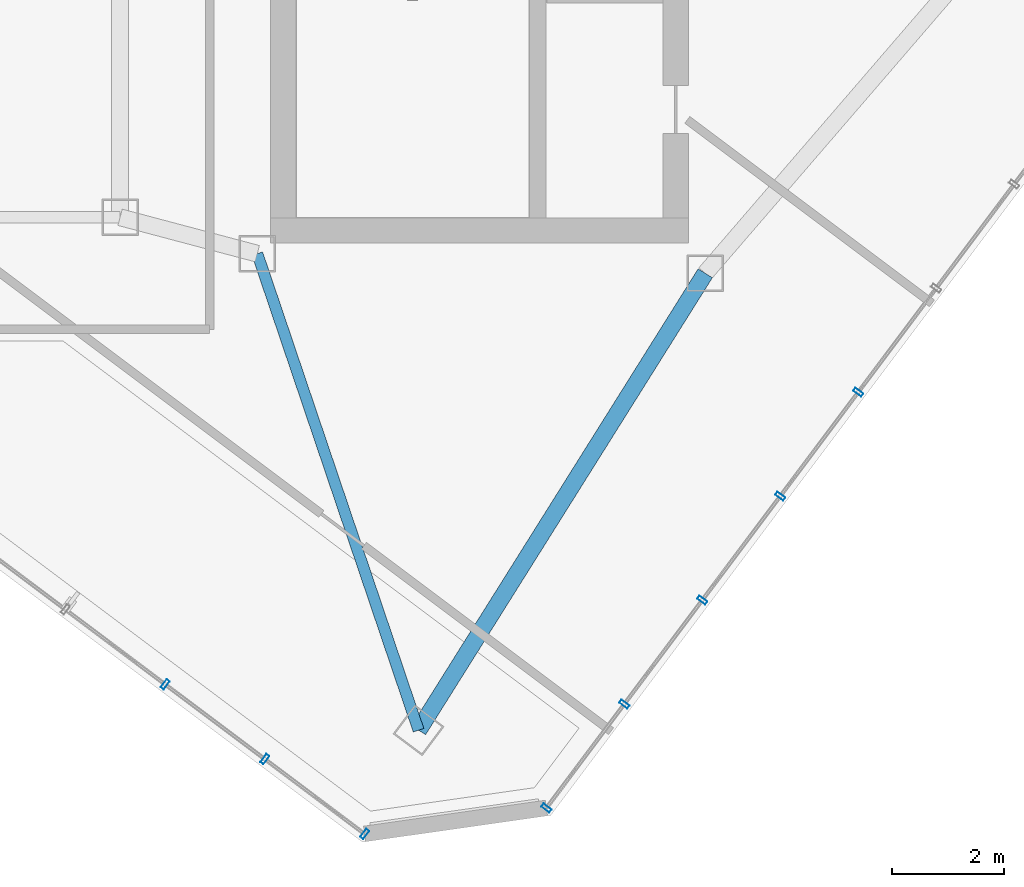
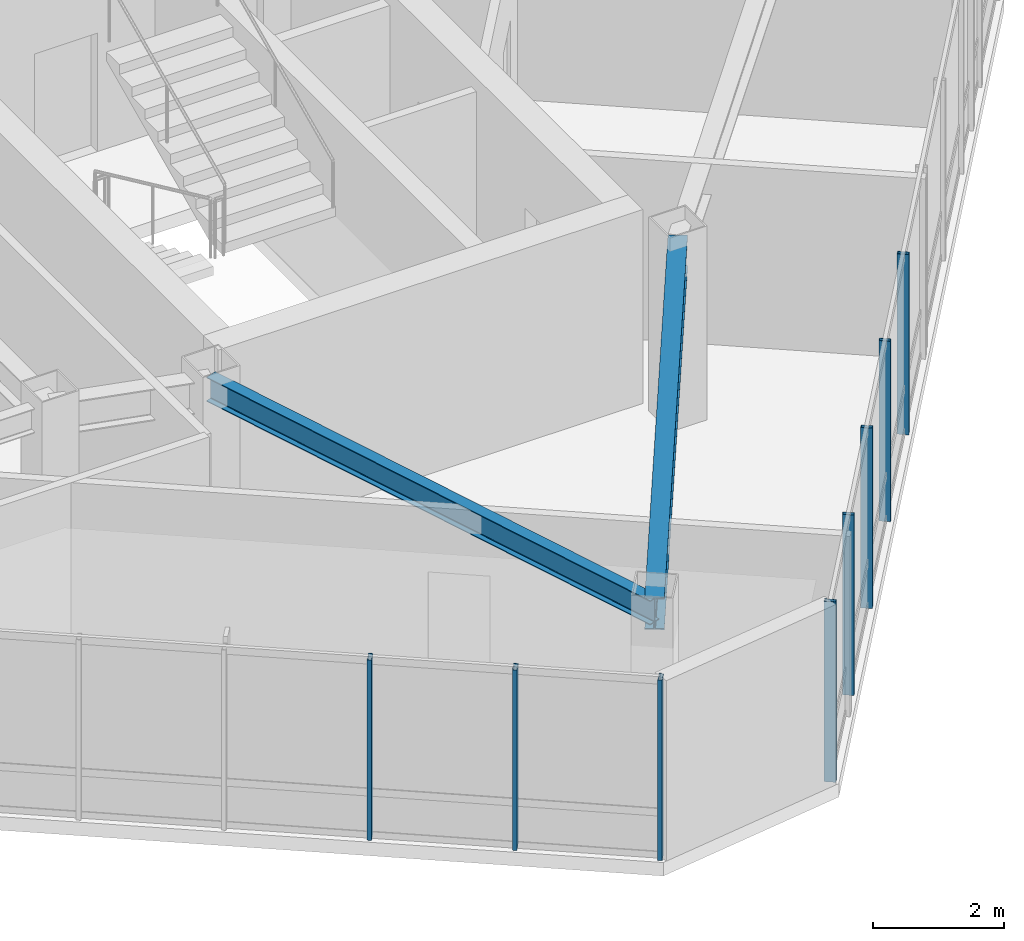
# One storey, part 5 of 22: 8 members, 2 beams, 2 elements without a shape of their own.
"""IFC4 building model written with IfcOpenShell, lengths in metres."""

from ifc_helpers import new_model, si_unit, direction, frame, origin, origin_2d, place, context, subcontext, project, spatial, hollow_rectangle, i_section, extrude, material, layer, layer_set, material_profile, profile_set, type_object, element, aggregate, save


model = new_model("IFC4")

# Units and contexts
model_context = context("Model", 3, precision=1e-05, world=origin(), true_north=direction((0.0, 1.0)))
body_context = subcontext(model_context, "Body", "Model", "MODEL_VIEW")
ifc_project = project(units=[si_unit("LENGTHUNIT", "METRE"), si_unit("AREAUNIT", "SQUARE_METRE"), si_unit("VOLUMEUNIT", "CUBIC_METRE"), si_unit("PLANEANGLEUNIT", "RADIAN"), si_unit("MASSUNIT", "GRAM", prefix="KILO")], contexts=[model_context])

# Site, building, storey
site_placement = place(None, origin())
site = spatial("IfcSite", under=ifc_project, at=site_placement, CompositionType="ELEMENT")
building_placement = place(site_placement, origin())
building = spatial("IfcBuilding", under=site, at=building_placement, Name="Hatsunagi Terrace Concourse", CompositionType="ELEMENT")
storey_placement = place(building_placement, frame((0.0, 0.0, 243.14990234375)))
storey = spatial("IfcBuildingStorey", under=building, at=storey_placement, Name="L64", CompositionType="ELEMENT", Elevation=243.14990234375)

# Curtain wall, members
ifc_material_1 = material(Name="Anodised Aluminium Alloy 6063-T5", Category="aluminium")
ifc_layer = layer(ifc_material_1, 0.199951171875)
ifc_layer_set = layer_set([ifc_layer], Name="OfficeZone2_CW04")
curtain_wall_type = type_object("IfcCurtainWallType", Name="OfficeZone2_CW04", PredefinedType="NOTDEFINED", material=ifc_layer_set)
curtain_wall_1_placement = place(storey_placement, origin())
curtain_wall_1 = element("IfcCurtainWall", 1, at=curtain_wall_1_placement, inside=storey, type_object=curtain_wall_type, Name="Unitised Curtain Wall CW-04 CW-L64-03", PredefinedType="NOTDEFINED")
ifc_material_2 = material(Name="Anodised Aluminium Alloy 6063-T5", Category="aluminium")
ifc_material_profile_1 = material_profile(ifc_material_2, hollow_rectangle(XDim=0.070068359375, YDim=0.179931640625, WallThickness=0.00390625, at=origin_2d()), Name="ALU-MUL-180x70x4")
ifc_profile_set_1 = profile_set([ifc_material_profile_1], Name="Anodised Aluminium Alloy 6063-T5")
member_type = type_object("IfcMemberType", Name="CurtainWallMullion_180x70", PredefinedType="MULLION", material=ifc_profile_set_1)
member_1_placement = place(storey_placement, frame((46.531982421875, 22.075927734375, 0.0), z_axis=(0.0, 0.0, 1.0), x_axis=(-0.599969314634, -0.800023013105, 0.0)))
member_1 = element("IfcMember", 2, at=member_1_placement, type_object=member_type, Name="Curtain Wall Mullion MUL-02", PredefinedType="MULLION", context=body_context, shape_type="SweptSolid", body=[
    extrude(hollow_rectangle(XDim=0.070068359375, YDim=0.179931640625, WallThickness=0.00390625, at=origin_2d()), origin(), (0.0, 0.0, 1.0), 3.35009765625),
])
member_2_placement = place(storey_placement, frame((45.139892578125, 20.218994140625, 0.0), z_axis=(0.0, 0.0, 1.0), x_axis=(-0.599969314634, -0.800023013105, 0.0)))
member_2 = element("IfcMember", 3, at=member_2_placement, type_object=member_type, Name="Curtain Wall Mullion MUL-02", PredefinedType="MULLION", context=body_context, shape_type="SweptSolid", body=[
    extrude(hollow_rectangle(XDim=0.070068359375, YDim=0.179931640625, WallThickness=0.00390625, at=origin_2d()), origin(), (0.0, 0.0, 1.0), 3.35009765625),
])
member_3_placement = place(storey_placement, frame((43.7470703125, 18.363037109375, 0.0), z_axis=(0.0, 0.0, 1.0), x_axis=(-0.599969314634, -0.800023013105, 0.0)))
member_3 = element("IfcMember", 4, at=member_3_placement, type_object=member_type, Name="Curtain Wall Mullion MUL-02", PredefinedType="MULLION", context=body_context, shape_type="SweptSolid", body=[
    extrude(hollow_rectangle(XDim=0.070068359375, YDim=0.179931640625, WallThickness=0.00390625, at=origin_2d()), origin(), (0.0, 0.0, 1.0), 3.35009765625),
])
member_4_placement = place(storey_placement, frame((42.35498046875, 16.506103515625, 0.0), z_axis=(0.0, 0.0, 1.0), x_axis=(-0.599969314634, -0.800023013105, 0.0)))
member_4 = element("IfcMember", 5, at=member_4_placement, type_object=member_type, Name="Curtain Wall Mullion MUL-02", PredefinedType="MULLION", context=body_context, shape_type="SweptSolid", body=[
    extrude(hollow_rectangle(XDim=0.070068359375, YDim=0.179931640625, WallThickness=0.00390625, at=origin_2d()), origin(), (0.0, 0.0, 1.0), 3.35009765625),
])
member_5_placement = place(storey_placement, frame((40.962890625, 14.64990234375, 0.0), z_axis=(0.0, 0.0, 1.0), x_axis=(-0.599969314634, -0.800023013105, 0.0)))
member_5 = element("IfcMember", 6, at=member_5_placement, type_object=member_type, Name="Curtain Wall Mullion MUL-02", PredefinedType="MULLION", context=body_context, shape_type="SweptSolid", body=[
    extrude(hollow_rectangle(XDim=0.070068359375, YDim=0.179931640625, WallThickness=0.00390625, at=origin_2d()), origin(), (0.0, 0.0, 1.0), 3.35009765625),
])
aggregate(curtain_wall_1, [member_1, member_2, member_3, member_4, member_5])

curtain_wall_2_placement = place(storey_placement, origin())
curtain_wall_2 = element("IfcCurtainWall", 7, at=curtain_wall_2_placement, inside=storey, type_object=curtain_wall_type, Name="Unitised Curtain Wall CW-04 CW-L64-05", PredefinedType="NOTDEFINED")
member_6_placement = place(storey_placement, frame((37.718017578125, 14.18701171875, 0.0), z_axis=(0.0, 0.0, 1.0), x_axis=(-0.800007305671, 0.599990258982, 0.0)))
member_6 = element("IfcMember", 8, at=member_6_placement, type_object=member_type, Name="Curtain Wall Mullion MUL-02", PredefinedType="MULLION", context=body_context, shape_type="SweptSolid", body=[
    extrude(hollow_rectangle(XDim=0.070068359375, YDim=0.179931640625, WallThickness=0.00390625, at=origin_2d()), origin(), (0.0, 0.0, 1.0), 3.35009765625),
])
member_7_placement = place(storey_placement, frame((35.93603515625, 15.52294921875, 0.0), z_axis=(0.0, 0.0, 1.0), x_axis=(-0.800007305671, 0.599990258982, 0.0)))
member_7 = element("IfcMember", 9, at=member_7_placement, type_object=member_type, Name="Curtain Wall Mullion MUL-02", PredefinedType="MULLION", context=body_context, shape_type="SweptSolid", body=[
    extrude(hollow_rectangle(XDim=0.070068359375, YDim=0.179931640625, WallThickness=0.00390625, at=origin_2d()), origin(), (0.0, 0.0, 1.0), 3.35009765625),
])
member_8_placement = place(storey_placement, frame((34.155029296875, 16.85888671875, 0.0), z_axis=(0.0, 0.0, 1.0), x_axis=(-0.800007305671, 0.599990258982, 0.0)))
member_8 = element("IfcMember", 10, at=member_8_placement, type_object=member_type, Name="Curtain Wall Mullion MUL-02", PredefinedType="MULLION", context=body_context, shape_type="SweptSolid", body=[
    extrude(hollow_rectangle(XDim=0.070068359375, YDim=0.179931640625, WallThickness=0.00390625, at=origin_2d()), origin(), (0.0, 0.0, 1.0), 3.35009765625),
])
aggregate(curtain_wall_2, [member_6, member_7, member_8])

# Beams
ifc_material_3 = material(Name="Steel SN490B", Category="steel")
ifc_material_profile_2 = material_profile(ifc_material_3, i_section(OverallWidth=0.300048828125, OverallDepth=0.587890625, WebThickness=0.011962890625, FlangeThickness=0.02001953125, FilletRadius=0.01806640625, at=origin_2d()), Name="H-588x300x12x20")
ifc_profile_set_2 = profile_set([ifc_material_profile_2], Name="Steel SN490B")
beam_type_1 = type_object("IfcBeamType", Name="OfficeHighGirder_H_588x300", PredefinedType="BEAM", material=ifc_profile_set_2)
beam_1_placement = place(storey_placement, frame((38.679931640625, 16.0400390625, 3.05615234375), z_axis=(0.531503907049, 0.847055840421, 0.0), x_axis=(-0.847055840421, 0.531503907049, 0.0)))
element("IfcBeam", 11, at=beam_1_placement, inside=storey, type_object=beam_type_1, Name="Beam G-06 BM-L64-SET-1A", PredefinedType="BEAM", context=body_context, shape_type="SweptSolid", body=[
    extrude(i_section(OverallWidth=0.300048828125, OverallDepth=0.587890625, WebThickness=0.011962890625, FlangeThickness=0.02001953125, FilletRadius=0.01806640625, at=origin_2d()), origin(), (0.0, 0.0, 1.0), 9.63330078125),
])
ifc_material_4 = material(Name="Steel SN490B", Category="steel")
ifc_material_profile_3 = material_profile(ifc_material_4, i_section(OverallWidth=0.199951171875, OverallDepth=0.449951171875, WebThickness=0.009033203125, FlangeThickness=0.013916015625, FilletRadius=0.01611328125, at=origin_2d()), Name="H-450x200x9x14")
ifc_profile_set_3 = profile_set([ifc_material_profile_3], Name="Steel SN490B")
beam_type_2 = type_object("IfcBeamType", Name="PerimeterSpandrel_H_450x200", PredefinedType="SPANDREL", material=ifc_profile_set_3)
beam_2_placement = place(storey_placement, frame((35.800048828125, 24.550048828125, 3.125), z_axis=(0.320553412271, -0.947230441805, 0.0), x_axis=(0.947230441805, 0.320553412271, 0.0)))
element("IfcBeam", 12, at=beam_2_placement, inside=storey, type_object=beam_type_2, Name="Beam SP-02 BM-L64-SE-SW0", PredefinedType="SPANDREL", context=body_context, shape_type="SweptSolid", body=[
    extrude(i_section(OverallWidth=0.199951171875, OverallDepth=0.449951171875, WebThickness=0.009033203125, FlangeThickness=0.013916015625, FilletRadius=0.01611328125, at=origin_2d()), origin(), (0.0, 0.0, 1.0), 8.984130859375),
])

save(model, "model.ifc")
